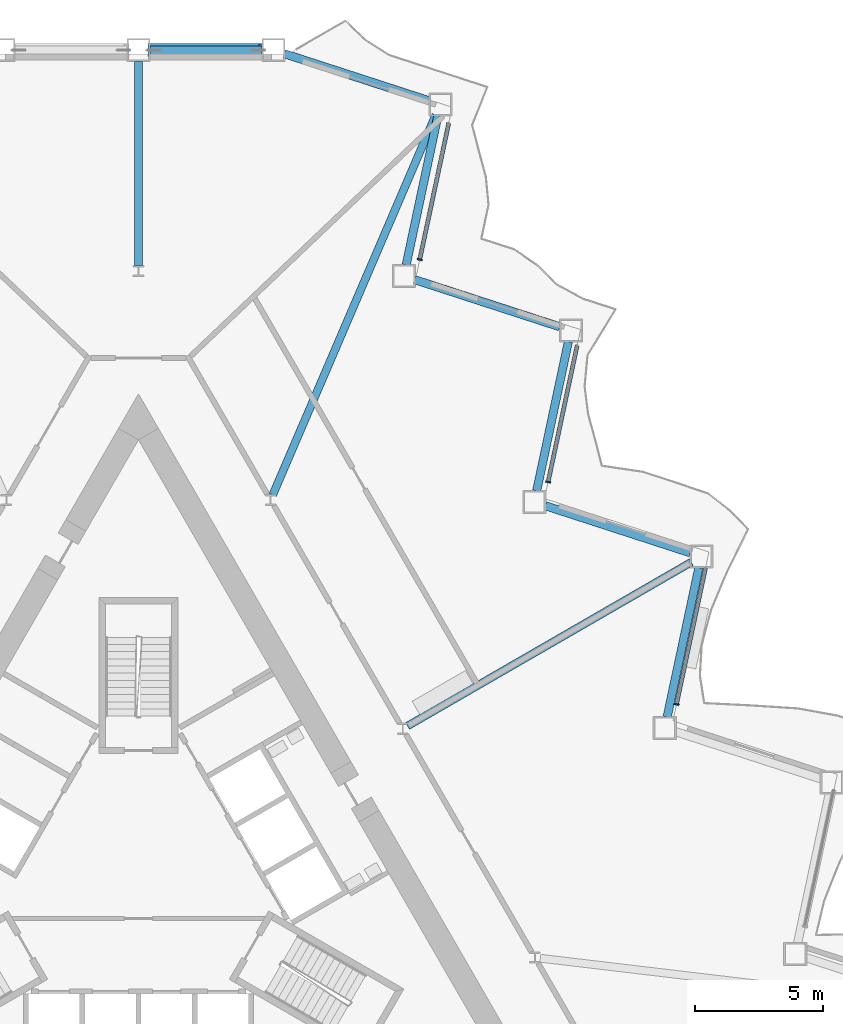
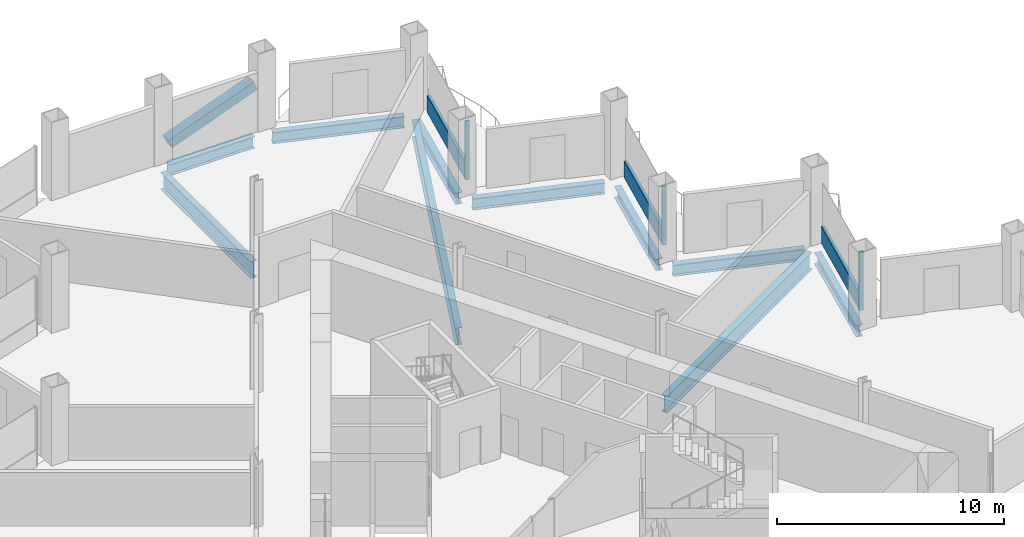
# One storey, part 8 of 21: 10 beams, 7 members, 3 elements without a shape of their own.
"""IFC4 building model written with IfcOpenShell, lengths in metres."""

import ifcopenshell
import ifcopenshell.guid

model = None  # the IFC model being written
_history = None  # IfcOwnerHistory: only IFC2X3 demands one
_inside = {}  # id of a spatial element -> (the spatial element, [elements in it])
_under = {}  # id of a project, library or spatial element -> (it, [spatial elements below it])
_declared = {}  # id of a project -> (the project, [libraries it declares])
_typed = {}  # id of a type object -> (the type object, [elements of that type])
_made_of = {}  # id of a material, layer set ... -> (it, [elements and type objects made of it])


def new_model(schema):
    """Start an empty IFC model of exactly this schema.

    Asked for "IFC4X3", IfcOpenShell would pick the latest addendum, in which some entities
    have other attributes; the version numbers below select the first issue.
    IFC2X3 requires an IfcOwnerHistory on every rooted entity: one is made here for all.
    """
    global model, _history
    if schema == "IFC4X3":
        model = ifcopenshell.file(schema_version=(4, 3, 0, 0))
    else:
        model = ifcopenshell.file(schema=schema)
    _inside.clear()
    _under.clear()
    _declared.clear()
    _typed.clear()
    _made_of.clear()
    _history = None
    if model.schema == "IFC2X3":
        org = make("IfcOrganization", Name="unknown")
        user = make(
            "IfcPersonAndOrganization",
            ThePerson=make("IfcPerson", FamilyName="unknown"),
            TheOrganization=org,
        )
        app = make(
            "IfcApplication",
            ApplicationDeveloper=org,
            Version="unknown",
            ApplicationFullName="unknown",
            ApplicationIdentifier="unknown",
        )
        _history = make(
            "IfcOwnerHistory",
            OwningUser=user,
            OwningApplication=app,
            ChangeAction="ADDED",
            CreationDate=0,
        )
    return model


def make(cls, **values):
    """One entity of the class cls with the attributes given. An attribute that is None is left unset."""
    return model.create_entity(
        cls, **{name: value for name, value in values.items() if value is not None}
    )


def rooted(cls, **values):
    """An entity with a GlobalId (a new one), such as an element, a storey or a relation."""
    return make(cls, GlobalId=ifcopenshell.guid.new(), OwnerHistory=_history, **values)


def si_unit(unit_type, name, prefix=None):
    """IfcSIUnit, for example si_unit("LENGTHUNIT", "METRE", prefix="MILLI")."""
    return make("IfcSIUnit", UnitType=unit_type, Prefix=prefix, Name=name)


def assignment(units):
    """IfcUnitAssignment: the units of a project."""
    return None if units is None else make("IfcUnitAssignment", Units=units)


def point(xyz):
    """IfcCartesianPoint."""
    return None if xyz is None else make("IfcCartesianPoint", Coordinates=xyz)


def direction(xyz):
    """IfcDirection."""
    return None if xyz is None else make("IfcDirection", DirectionRatios=xyz)


def frame(location, z_axis=None, x_axis=None):
    """IfcAxis2Placement3D, a coordinate frame: its origin and axes. An axis left out is left unset."""
    return make(
        "IfcAxis2Placement3D",
        Location=point(location),
        Axis=direction(z_axis),
        RefDirection=direction(x_axis),
    )


def frame_2d(location, x_axis=None):
    """IfcAxis2Placement2D, a coordinate frame in the plane: its origin and x axis."""
    return make(
        "IfcAxis2Placement2D", Location=point(location), RefDirection=direction(x_axis)
    )


def origin():
    """The frame at (0, 0, 0) with its axes left unset."""
    return frame((0.0, 0.0, 0.0))


def origin_2d():
    """The frame at (0, 0) in the plane with its x axis left unset."""
    return frame_2d((0.0, 0.0))


def place(relative_to, where):
    """IfcLocalPlacement: puts the frame where relative to a parent placement (None: the world)."""
    return make(
        "IfcLocalPlacement", PlacementRelTo=relative_to, RelativePlacement=where
    )


def context(
    kind, dimensions, precision=None, world=None, true_north=None, identifier=None
):
    """IfcGeometricRepresentationContext, for example the 3D "Model" context."""
    return make(
        "IfcGeometricRepresentationContext",
        ContextIdentifier=identifier,
        ContextType=kind,
        CoordinateSpaceDimension=dimensions,
        Precision=precision,
        WorldCoordinateSystem=world,
        TrueNorth=true_north,
    )


def subcontext(parent, identifier, kind, view, scale=None):
    """IfcGeometricRepresentationSubContext, for example "Body" below "Model"."""
    return make(
        "IfcGeometricRepresentationSubContext",
        ContextIdentifier=identifier,
        ContextType=kind,
        ParentContext=parent,
        TargetScale=scale,
        TargetView=view,
    )


def project(units=None, contexts=None):
    """IfcProject with its units and contexts."""
    return rooted(
        "IfcProject",
        Name="project",
        RepresentationContexts=contexts,
        UnitsInContext=assignment(units),
    )


def spatial(cls, under=None, at=None, **own):
    """A site, building, storey or space (cls), placed at a placement, below another one or the project."""
    s = rooted(cls, ObjectPlacement=at, **own)
    if under is not None:
        _under.setdefault(under.id(), (under, []))[1].append(s)
    return s


def profile(cls, at=None, kind="AREA", **sizes):
    """A parametric profile (cls). Its sizes go by their IFC names, for example OverallWidth=200.0."""
    return make(cls, ProfileType=kind, Position=at, **sizes)


def rectangle(**sizes):
    """IfcRectangleProfileDef."""
    return profile("IfcRectangleProfileDef", **sizes)


def hollow_rectangle(**sizes):
    """IfcRectangleHollowProfileDef."""
    return profile("IfcRectangleHollowProfileDef", **sizes)


def i_section(**sizes):
    """IfcIShapeProfileDef."""
    return profile("IfcIShapeProfileDef", **sizes)


def extrude(swept, where, along, depth):
    """IfcExtrudedAreaSolid: the profile swept, set in the frame where, extruded along a direction by depth."""
    return make(
        "IfcExtrudedAreaSolid",
        SweptArea=swept,
        Position=where,
        ExtrudedDirection=direction(along),
        Depth=depth,
    )


def shape(context_of_items, identifier, shape_type, items):
    """IfcShapeRepresentation: the items that make up one representation, for example the "Body"."""
    return make(
        "IfcShapeRepresentation",
        ContextOfItems=context_of_items,
        RepresentationIdentifier=identifier,
        RepresentationType=shape_type,
        Items=items,
    )


def material(Name=None, Category=None):
    """IfcMaterial."""
    return make("IfcMaterial", Name=Name, Category=Category)


def layer(
    of_material, thickness, ventilated=None, Name=None, Category=None, Priority=None
):
    """IfcMaterialLayer: one layer of a wall or slab, of a material (None: an air gap)."""
    return make(
        "IfcMaterialLayer",
        Material=of_material,
        LayerThickness=thickness,
        IsVentilated=ventilated,
        Name=Name,
        Category=Category,
        Priority=Priority,
    )


def layer_set(layers, Name=None):
    """IfcMaterialLayerSet."""
    return make("IfcMaterialLayerSet", MaterialLayers=layers, LayerSetName=Name)


def material_profile(
    of_material, cross_section, Name=None, Category=None, Priority=None
):
    """IfcMaterialProfile: a cross section and its material."""
    return make(
        "IfcMaterialProfile",
        Name=Name,
        Material=of_material,
        Profile=cross_section,
        Priority=Priority,
        Category=Category,
    )


def profile_set(profiles, Name=None, composite=None):
    """IfcMaterialProfileSet."""
    return make(
        "IfcMaterialProfileSet",
        Name=Name,
        MaterialProfiles=profiles,
        CompositeProfile=composite,
    )


def made_of(thing, what):
    """Note that an element or type object is made of a material, layer set ...; save() writes the relation."""
    if what is not None:
        _made_of.setdefault(what.id(), (what, []))[1].append(thing)
    return thing


def type_object(cls, material=None, **own):
    """A type object (cls), such as IfcWallType, which elements share."""
    return made_of(rooted(cls, **own), material)


def element(
    cls,
    number,
    at=None,
    inside=None,
    cuts=None,
    type_object=None,
    material=None,
    context=None,
    identifier="Body",
    shape_type=None,
    held_by="IfcProductDefinitionShape",
    body=None,
    shapes=None,
    **own,
):
    """One element of the class cls, such as IfcWall. Its Tag is "e" and its number.

    at: its placement. inside: the storey or other place that contains it. cuts: it is an
    opening in that element (IfcRelVoidsElement). A single representation is given by context,
    identifier, shape_type and body (its items); several are given by shapes. held_by: the class
    of the entity that holds the representations. save() writes the other relations.
    """
    e = rooted(cls, Tag="e%d" % number, ObjectPlacement=at, **own)
    if body is not None:
        shapes = [shape(context, identifier, shape_type, body)]
    if shapes is not None:
        e.Representation = make(held_by, Representations=shapes)
    if inside is not None:
        _inside.setdefault(inside.id(), (inside, []))[1].append(e)
    if cuts is not None:
        rooted(
            "IfcRelVoidsElement", RelatingBuildingElement=cuts, RelatedOpeningElement=e
        )
    if type_object is not None:
        _typed.setdefault(type_object.id(), (type_object, []))[1].append(e)
    return made_of(e, material)


def aggregate(whole, parts):
    """IfcRelAggregates: a whole, such as a stair, and the parts it consists of."""
    return rooted("IfcRelAggregates", RelatingObject=whole, RelatedObjects=parts)


def save(model, path):
    """Write the relations noted so far, then the file.

    IfcRelAggregates (storeys below a building ...), IfcRelContainedInSpatialStructure (elements
    in a storey), IfcRelDefinesByType, IfcRelAssociatesMaterial and IfcRelDeclares: one each for
    every whole, place, type object, material and project.
    """
    for whole, parts in _under.values():
        aggregate(whole, parts)
    for where, things in _inside.values():
        rooted(
            "IfcRelContainedInSpatialStructure",
            RelatedElements=things,
            RelatingStructure=where,
        )
    for kind, things in _typed.values():
        rooted("IfcRelDefinesByType", RelatedObjects=things, RelatingType=kind)
    for what, things in _made_of.values():
        rooted("IfcRelAssociatesMaterial", RelatedObjects=things, RelatingMaterial=what)
    for by, libraries in _declared.values():
        rooted("IfcRelDeclares", RelatingContext=by, RelatedDefinitions=libraries)
    model.write(path)


model = new_model("IFC4")

# Units and contexts
model_context = context("Model", 3, precision=1e-05, world=origin(), true_north=direction((0.0, 1.0)))
body_context = subcontext(model_context, "Body", "Model", "MODEL_VIEW")
ifc_project = project(units=[si_unit("LENGTHUNIT", "METRE"), si_unit("AREAUNIT", "SQUARE_METRE"), si_unit("VOLUMEUNIT", "CUBIC_METRE"), si_unit("PLANEANGLEUNIT", "RADIAN"), si_unit("MASSUNIT", "GRAM", prefix="KILO")], contexts=[model_context])

# Site, building, storey
site_placement = place(None, origin())
site = spatial("IfcSite", under=ifc_project, at=site_placement, CompositionType="ELEMENT")
building_placement = place(site_placement, origin())
building = spatial("IfcBuilding", under=site, at=building_placement, Name="Cormorant Prow Tower", CompositionType="ELEMENT")
storey_placement = place(building_placement, frame((0.0, 0.0, 116.39990234375)))
storey = spatial("IfcBuildingStorey", under=building, at=storey_placement, Name="L24", CompositionType="ELEMENT", Elevation=116.39990234375)

# Member
ifc_material_1 = material(Name="Structural steel ASTM A500 Gr C", Category="steel")
ifc_material_profile_1 = material_profile(ifc_material_1, hollow_rectangle(XDim=0.508056640625, YDim=0.508056640625, WallThickness=0.014892578125, at=origin_2d()), Name="HSS20x20x5/8")
ifc_profile_set_1 = profile_set([ifc_material_profile_1], Name="Structural steel ASTM A500 Gr C")
member_type_1 = type_object("IfcMemberType", Name="Chamfer brace HSS20x20x5/8", PredefinedType="BRACE", material=ifc_profile_set_1)
member_1_placement = place(storey_placement, frame((0.4677734375, 32.487060546875, 0.776611328125), z_axis=(0.935582009332, 0.0, 0.353109478511), x_axis=(0.0, 1.0, 0.0)))
element("IfcMember", 1, at=member_1_placement, inside=storey, type_object=member_type_1, Name="Chamfer brace BR1 at N00 L24", PredefinedType="BRACE", context=body_context, shape_type="SweptSolid", body=[
    extrude(hollow_rectangle(XDim=0.508056640625, YDim=0.508056640625, WallThickness=0.014892578125, at=origin_2d()), origin(), (0.0, 0.0, 1.0), 4.63232421875),
])

# Curtain wall, member
ifc_material_2 = material(Name="Aluminium 6063-T6", Category="aluminium")
ifc_layer = layer(ifc_material_2, 0.199951171875)
ifc_layer_set = layer_set([ifc_layer], Name="Aluminium 6063-T6")
curtain_wall_type = type_object("IfcCurtainWallType", Name="Office unitised curtain wall 200", PredefinedType="NOTDEFINED", material=ifc_layer_set)
curtain_wall_1_placement = place(storey_placement, origin())
curtain_wall_1 = element("IfcCurtainWall", 2, at=curtain_wall_1_placement, inside=storey, type_object=curtain_wall_type, Name="Office curtain wall ENE04", PredefinedType="NOTDEFINED")
ifc_material_3 = material(Name="Aluminium 6063-T6", Category="aluminium")
ifc_material_profile_2 = material_profile(ifc_material_3, rectangle(XDim=0.199951171875, YDim=0.06005859375, at=origin_2d()), Name="Office mullion 60x200")
ifc_profile_set_2 = profile_set([ifc_material_profile_2], Name="Aluminium 6063-T6")
member_type_2 = type_object("IfcMemberType", Name="Office mullion 60x200", PredefinedType="MULLION", material=ifc_profile_set_2)
member_2_placement = place(storey_placement, frame((21.029296875, 6.91845703125, 0.0), z_axis=(0.0, 0.0, 1.0), x_axis=(-0.978147610002, 0.207911647216, 0.0)))
member_2 = element("IfcMember", 3, at=member_2_placement, type_object=member_type_2, Name="Office mullion ENE04", PredefinedType="MULLION", context=body_context, shape_type="SweptSolid", body=[
    extrude(rectangle(XDim=0.199951171875, YDim=0.06005859375, at=origin_2d()), origin(), (0.0, 0.0, 1.0), 3.18896484375),
])

curtain_wall_2_placement = place(storey_placement, origin())
curtain_wall_2 = element("IfcCurtainWall", 4, at=curtain_wall_2_placement, inside=storey, type_object=curtain_wall_type, Name="Office curtain wall ENE06", PredefinedType="NOTDEFINED")
member_3_placement = place(storey_placement, frame((16.01123046875, 15.60986328125, 0.0), z_axis=(0.0, 0.0, 1.0), x_axis=(-0.978147610002, 0.207911647216, 0.0)))
member_3 = element("IfcMember", 5, at=member_3_placement, type_object=member_type_2, Name="Office mullion ENE06", PredefinedType="MULLION", context=body_context, shape_type="SweptSolid", body=[
    extrude(rectangle(XDim=0.199951171875, YDim=0.06005859375, at=origin_2d()), origin(), (0.0, 0.0, 1.0), 3.18896484375),
])

curtain_wall_3_placement = place(storey_placement, origin())
curtain_wall_3 = element("IfcCurtainWall", 6, at=curtain_wall_3_placement, inside=storey, type_object=curtain_wall_type, Name="Office curtain wall ENE08", PredefinedType="NOTDEFINED")
member_4_placement = place(storey_placement, frame((10.9931640625, 24.301513671875, 0.0), z_axis=(0.0, 0.0, 1.0), x_axis=(-0.978147610002, 0.207911647216, 0.0)))
member_4 = element("IfcMember", 7, at=member_4_placement, type_object=member_type_2, Name="Office mullion ENE08", PredefinedType="MULLION", context=body_context, shape_type="SweptSolid", body=[
    extrude(rectangle(XDim=0.199951171875, YDim=0.06005859375, at=origin_2d()), origin(), (0.0, 0.0, 1.0), 3.18896484375),
])

# Member
ifc_material_4 = material(Name="Terracotta", Category="masonry")
ifc_material_profile_3 = material_profile(ifc_material_4, rectangle(XDim=0.159912109375, YDim=0.89990234375, at=origin_2d()), Name="Office terracotta spandrel rail 160x900")
ifc_profile_set_3 = profile_set([ifc_material_profile_3], Name="Terracotta")
member_type_3 = type_object("IfcMemberType", Name="Office terracotta spandrel rail 160x900", PredefinedType="USERDEFINED", material=ifc_profile_set_3)
member_5_placement = place(storey_placement, frame((21.035400390625, 6.94775390625, 0.4501953125), z_axis=(0.207907775763, 0.978148432896, 0.0), x_axis=(-0.978148432896, 0.207907775763, 0.0)))
member_5 = element("IfcMember", 8, at=member_5_placement, type_object=member_type_3, Name="Office spandrel rail ENE04", ObjectType="TRANSOM", PredefinedType="USERDEFINED", context=body_context, shape_type="SweptSolid", body=[
    extrude(rectangle(XDim=0.159912109375, YDim=0.89990234375, at=origin_2d()), origin(), (0.0, 0.0, 1.0), 5.42041015625),
])

aggregate(curtain_wall_1, [member_2, member_5])

member_6_placement = place(storey_placement, frame((16.017578125, 15.63916015625, 0.4501953125), z_axis=(0.207907775763, 0.978148432896, 0.0), x_axis=(-0.978148432896, 0.207907775763, 0.0)))
member_6 = element("IfcMember", 9, at=member_6_placement, type_object=member_type_3, Name="Office spandrel rail ENE06", ObjectType="TRANSOM", PredefinedType="USERDEFINED", context=body_context, shape_type="SweptSolid", body=[
    extrude(rectangle(XDim=0.159912109375, YDim=0.89990234375, at=origin_2d()), origin(), (0.0, 0.0, 1.0), 5.42041015625),
])

aggregate(curtain_wall_2, [member_3, member_6])

member_7_placement = place(storey_placement, frame((10.99951171875, 24.330810546875, 0.4501953125), z_axis=(0.207907775763, 0.978148432896, 0.0), x_axis=(-0.978148432896, 0.207907775763, 0.0)))
member_7 = element("IfcMember", 10, at=member_7_placement, type_object=member_type_3, Name="Office spandrel rail ENE08", ObjectType="TRANSOM", PredefinedType="USERDEFINED", context=body_context, shape_type="SweptSolid", body=[
    extrude(rectangle(XDim=0.159912109375, YDim=0.89990234375, at=origin_2d()), origin(), (0.0, 0.0, 1.0), 5.42041015625),
])

aggregate(curtain_wall_3, [member_4, member_7])

# Beams
ifc_material_5 = material(Name="Structural steel ASTM A992 Gr 50", Category="steel")
ifc_material_profile_4 = material_profile(ifc_material_5, i_section(OverallWidth=0.3046875, OverallDepth=0.914794921875, WebThickness=0.0166015625, FlangeThickness=0.02587890625, at=origin_2d()), Name="W36x160")
ifc_profile_set_4 = profile_set([ifc_material_profile_4], Name="Structural steel ASTM A992 Gr 50")
beam_type_1 = type_object("IfcBeamType", Name="Radial floor beam W36x160", PredefinedType="BEAM", material=ifc_profile_set_4)
beam_1_placement = place(storey_placement, frame((0.0, 24.070068359375, -0.857177734375), z_axis=(0.0, 1.0, 0.0), x_axis=(-1.0, 0.0, 0.0)))
element("IfcBeam", 11, at=beam_1_placement, inside=storey, type_object=beam_type_1, Name="Radial floor beam FB1 1 L24", PredefinedType="BEAM", context=body_context, shape_type="SweptSolid", body=[
    extrude(i_section(OverallWidth=0.3046875, OverallDepth=0.914794921875, WebThickness=0.0166015625, FlangeThickness=0.02587890625, at=origin_2d()), origin(), (0.0, 0.0, 1.0), 7.966796875),
])
beam_2_placement = place(storey_placement, frame((10.516845703125, 6.07177734375, -0.857177734375), z_axis=(0.866021760006, 0.500006311156, 0.0), x_axis=(-0.500006311156, 0.866021760006, 0.0)))
element("IfcBeam", 12, at=beam_2_placement, inside=storey, type_object=beam_type_1, Name="Radial floor beam FB1 11 L24", PredefinedType="BEAM", context=body_context, shape_type="SweptSolid", body=[
    extrude(i_section(OverallWidth=0.3046875, OverallDepth=0.914794921875, WebThickness=0.0166015625, FlangeThickness=0.02587890625, at=origin_2d()), origin(), (0.0, 0.0, 1.0), 12.805419921875),
])
beam_3_placement = place(storey_placement, frame((5.25, 15.107666015625, -0.857177734375), z_axis=(0.394273140268, 0.918993302948, 0.0), x_axis=(-0.918993302948, 0.394273140268, 0.0)))
element("IfcBeam", 13, at=beam_3_placement, inside=storey, type_object=beam_type_1, Name="Radial floor beam FB1 12 L24", PredefinedType="BEAM", context=body_context, shape_type="SweptSolid", body=[
    extrude(i_section(OverallWidth=0.3046875, OverallDepth=0.914794921875, WebThickness=0.0166015625, FlangeThickness=0.02587890625, at=origin_2d()), origin(), (0.0, 0.0, 1.0), 16.153564453125),
])
ifc_material_6 = material(Name="Structural steel ASTM A992 Gr 50", Category="steel")
ifc_material_profile_5 = material_profile(ifc_material_6, i_section(OverallWidth=0.32373046875, OverallDepth=0.611083984375, WebThickness=0.0126953125, FlangeThickness=0.01904296875, at=origin_2d()), Name="W24x104")
ifc_profile_set_5 = profile_set([ifc_material_profile_5], Name="Structural steel ASTM A992 Gr 50")
beam_type_2 = type_object("IfcBeamType", Name="Spandrel beam W24x104", PredefinedType="SPANDREL", material=ifc_profile_set_5)
beam_4_placement = place(storey_placement, frame((20.6630859375, 6.427001953125, -0.70556640625), z_axis=(0.207912620873, 0.978147403044, 0.0), x_axis=(-0.978147403044, 0.207912620873, 0.0)))
element("IfcBeam", 14, at=beam_4_placement, inside=storey, type_object=beam_type_2, Name="Spandrel beam SB1 ENE04-ENE05 L24", PredefinedType="SPANDREL", context=body_context, shape_type="SweptSolid", body=[
    extrude(i_section(OverallWidth=0.32373046875, OverallDepth=0.611083984375, WebThickness=0.0126953125, FlangeThickness=0.01904296875, at=origin_2d()), origin(), (0.0, 0.0, 1.0), 5.962890625),
])
for number, where, z_axis, x_axis, name in (
    (15, (21.568359375, 12.838623046875, -0.70556640625), (-0.951059340519, 0.309008302174, 0.0), (-0.309008302174, -0.951059340519, 0.0), "Spandrel beam SB1 ENE05-ENE06 L24"),
    (16, (15.56298828125, 15.260498046875, -0.70556640625), (0.207920947907, 0.978145633033, 0.0), (-0.978145633033, 0.207920947907, 0.0), "Spandrel beam SB1 ENE06-ENE07 L24"),
):
    element("IfcBeam", number, at=place(storey_placement, frame(where, z_axis=z_axis, x_axis=x_axis)), inside=storey, type_object=beam_type_2, Name=name, PredefinedType="SPANDREL", context=body_context, shape_type="SweptSolid", body=[
        extrude(i_section(OverallWidth=0.32373046875, OverallDepth=0.611083984375, WebThickness=0.0126953125, FlangeThickness=0.01904296875, at=origin_2d()), origin(), (0.0, 0.0, 1.0), 5.962646484375),
    ])
beam_5_placement = place(storey_placement, frame((16.468505859375, 21.671875, -0.70556640625), z_axis=(-0.95104730696, 0.309045336358, 0.0), x_axis=(-0.309045336358, -0.95104730696, 0.0)))
element("IfcBeam", 17, at=beam_5_placement, inside=storey, type_object=beam_type_2, Name="Spandrel beam SB1 ENE07-ENE08 L24", PredefinedType="SPANDREL", context=body_context, shape_type="SweptSolid", body=[
    extrude(i_section(OverallWidth=0.32373046875, OverallDepth=0.611083984375, WebThickness=0.0126953125, FlangeThickness=0.01904296875, at=origin_2d()), origin(), (0.0, 0.0, 1.0), 5.962890625),
])
beam_6_placement = place(storey_placement, frame((10.463134765625, 24.09375, -0.70556640625), z_axis=(0.207920947907, 0.978145633033, 0.0), x_axis=(-0.978145633033, 0.207920947907, 0.0)))
element("IfcBeam", 18, at=beam_6_placement, inside=storey, type_object=beam_type_2, Name="Spandrel beam SB1 ENE08-ENE09 L24", PredefinedType="SPANDREL", context=body_context, shape_type="SweptSolid", body=[
    extrude(i_section(OverallWidth=0.32373046875, OverallDepth=0.611083984375, WebThickness=0.0126953125, FlangeThickness=0.01904296875, at=origin_2d()), origin(), (0.0, 0.0, 1.0), 5.962646484375),
])
beam_7_placement = place(storey_placement, frame((11.368408203125, 30.50537109375, -0.70556640625), z_axis=(-0.951055430656, 0.309020335608, 0.0), x_axis=(-0.309020335608, -0.951055430656, 0.0)))
element("IfcBeam", 19, at=beam_7_placement, inside=storey, type_object=beam_type_2, Name="Spandrel beam SB1 ENE09-N00 L24", PredefinedType="SPANDREL", context=body_context, shape_type="SweptSolid", body=[
    extrude(i_section(OverallWidth=0.32373046875, OverallDepth=0.611083984375, WebThickness=0.0126953125, FlangeThickness=0.01904296875, at=origin_2d()), origin(), (0.0, 0.0, 1.0), 5.96240234375),
])
beam_8_placement = place(storey_placement, frame((4.819580078125, 32.487060546875, -0.70556640625), z_axis=(-1.0, 0.0, 0.0), x_axis=(0.0, -1.0, 0.0)))
element("IfcBeam", 20, at=beam_8_placement, inside=storey, type_object=beam_type_2, Name="Spandrel beam SB1 N00-N01 L24", PredefinedType="SPANDREL", context=body_context, shape_type="SweptSolid", body=[
    extrude(i_section(OverallWidth=0.32373046875, OverallDepth=0.611083984375, WebThickness=0.0126953125, FlangeThickness=0.01904296875, at=origin_2d()), origin(), (0.0, 0.0, 1.0), 4.36962890625),
])

save(model, "model.ifc")
